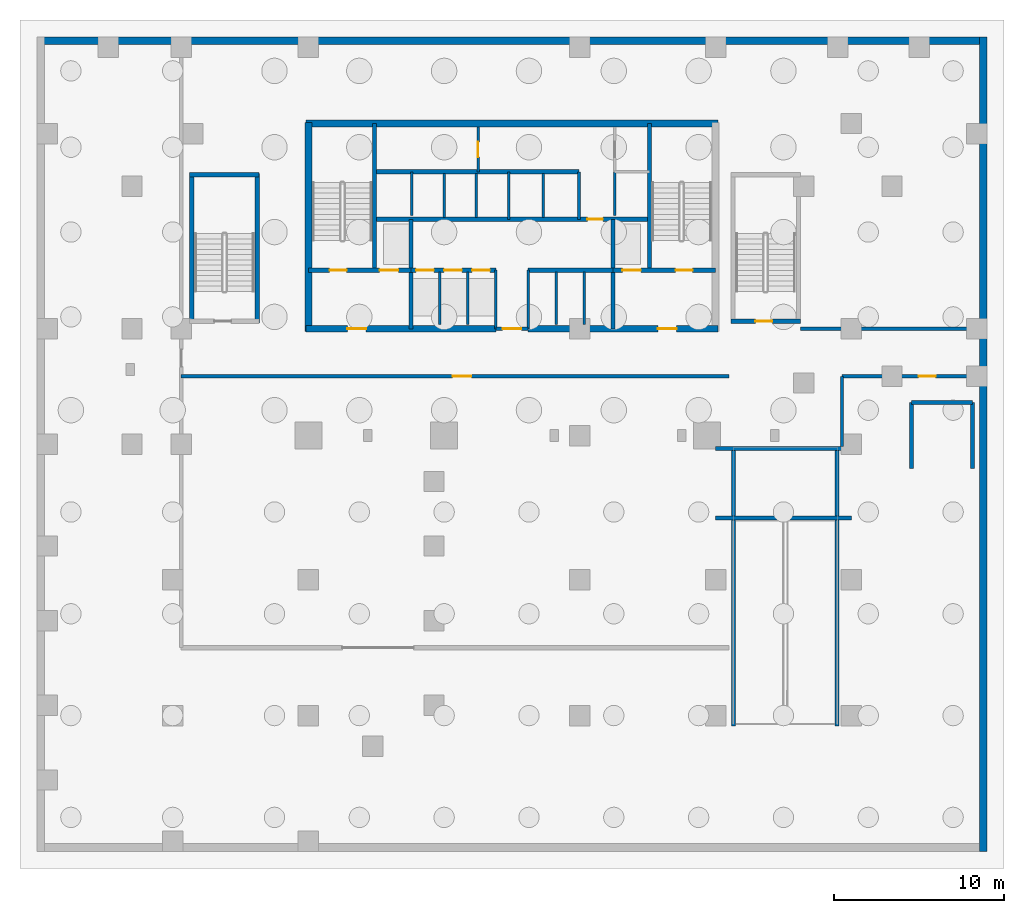
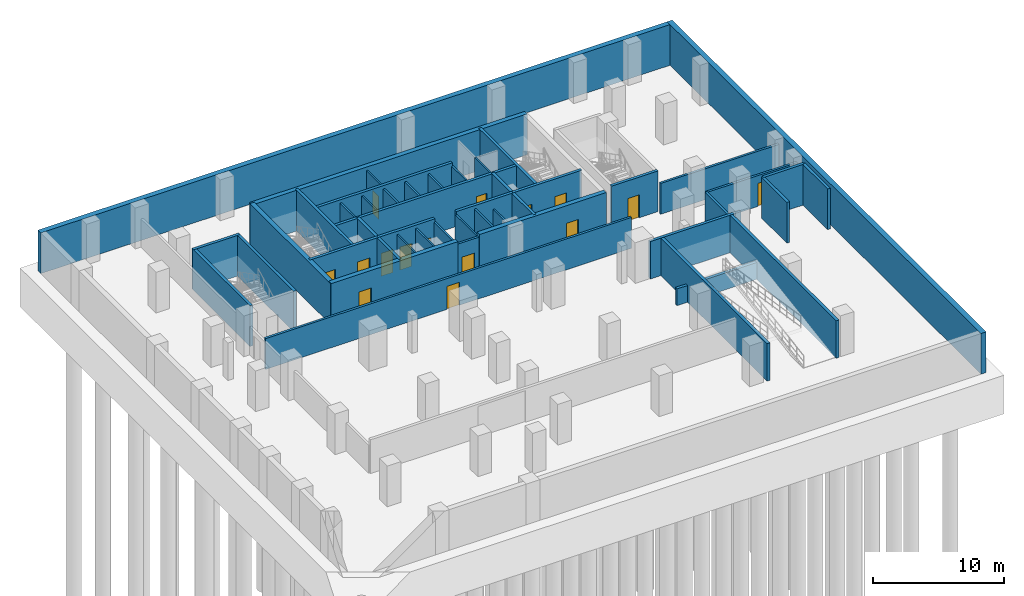
# One storey, part 2 of 6: 46 walls, 15 doors, 15 openings.
"""IFC4 building model written with IfcOpenShell, lengths in metres."""

from ifc_helpers import new_model, si_unit, direction, frame, frame_2d, origin, place, context, subcontext, project, spatial, rectangle, extrude, material, layer, layer_set, type_object, element, fill, save


model = new_model("IFC4")

# Units and contexts
model_context = context("Model", 3, precision=1e-05, world=origin(), true_north=direction((0.0, 1.0)))
body_context = subcontext(model_context, "Body", "Model", "MODEL_VIEW")
ifc_project = project(units=[si_unit("LENGTHUNIT", "METRE"), si_unit("AREAUNIT", "SQUARE_METRE"), si_unit("VOLUMEUNIT", "CUBIC_METRE"), si_unit("PLANEANGLEUNIT", "RADIAN"), si_unit("MASSUNIT", "GRAM", prefix="KILO")], contexts=[model_context])

# Site, building, storey
site_placement = place(None, origin())
site = spatial("IfcSite", under=ifc_project, at=site_placement, CompositionType="ELEMENT")
building_placement = place(site_placement, origin())
building = spatial("IfcBuilding", under=site, at=building_placement, Name="Catumbela Crestline Tower", CompositionType="ELEMENT")
storey_placement = place(building_placement, frame((0.0, 0.0, -13.2)))
storey = spatial("IfcBuildingStorey", under=building, at=storey_placement, Name="B03", CompositionType="ELEMENT", Elevation=-13.2)

# Walls
ifc_material_1 = material(Name="Concrete C50/60", Category="concrete")
ifc_layer_1 = layer(ifc_material_1, 0.25, Name="Concrete C50/60")
ifc_layer_set_1 = layer_set([ifc_layer_1], Name="Concrete C50/60")
wall_type_1 = type_object("IfcWallType", Name="CW-250D", PredefinedType="SHEAR", material=ifc_layer_set_1)
for number, where, z_axis, x_axis, name in (
    (1, (19.9, 34.25, 0.0), (0.0, 0.0, 1.0), (0.0, 1.0, 0.0), "B03 Structural Core Shear Wall WWEB"),
    (2, (36.1, 34.25, 0.0), (0.0, 0.0, 1.0), (0.0, 1.0, 0.0), "B03 Structural Core Shear Wall EWEB"),
):
    element("IfcWall", number, at=place(storey_placement, frame(where, z_axis=z_axis, x_axis=x_axis)), inside=storey, type_object=wall_type_1, Name=name, PredefinedType="SHEAR", context=body_context, shape_type="SweptSolid", body=[
        extrude(rectangle(XDim=8.65, YDim=0.25, at=frame_2d((4.325, 0.0))), origin(), (0.0, 0.0, 1.0), 3.8),
    ])
for number, where, z_axis, x_axis, name in (
    (3, (22.05, 30.8, 0.0), (0.0, 0.0, 1.0), (0.0, 1.0, 0.0), "B03 Structural Core Shear Wall FFW"),
    (4, (33.95, 30.8, 0.0), (0.0, 0.0, 1.0), (0.0, 1.0, 0.0), "B03 Structural Core Shear Wall FFE"),
):
    element("IfcWall", number, at=place(storey_placement, frame(where, z_axis=z_axis, x_axis=x_axis)), inside=storey, type_object=wall_type_1, Name=name, PredefinedType="SHEAR", context=body_context, shape_type="SweptSolid", body=[
        extrude(rectangle(XDim=6.45, YDim=0.25, at=frame_2d((3.225, 0.0))), origin(), (0.0, 0.0, 1.0), 3.8),
    ])

# Wall, openings, doors
wall_1_placement = place(storey_placement, frame((16.0, 34.25, 0.0), z_axis=(0.0, 0.0, 1.0), x_axis=(1.0, 0.0, 0.0)))
wall_1 = element("IfcWall", 5, at=wall_1_placement, inside=storey, type_object=wall_type_1, Name="B03 Structural Core Shear Wall ST1S", PredefinedType="SHEAR", context=body_context, shape_type="SweptSolid", body=[
    extrude(rectangle(XDim=6.05, YDim=0.25, at=frame_2d((3.025, 0.0))), origin(), (0.0, 0.0, 1.0), 3.8),
])
opening_1_placement = place(wall_1_placement, frame((1.25, 0.0, 0.0)))
opening_1 = element("IfcOpeningElement", 6, at=opening_1_placement, cuts=wall_1, Name="Opening DF9-100", PredefinedType="OPENING", context=body_context, shape_type="SweptSolid", body=[
    extrude(rectangle(XDim=1.0, YDim=2.15, at=frame_2d((0.5, 1.075))), frame((0.0, 0.135, 0.0), z_axis=(0.0, -1.0, 0.0), x_axis=(1.0, 0.0, 0.0)), (0.0, 0.0, 1.0), 0.27),
])
opening_2_placement = place(wall_1_placement, frame((4.2, 0.0, 0.0)))
opening_2 = element("IfcOpeningElement", 7, at=opening_2_placement, cuts=wall_1, Name="Opening LD-110", PredefinedType="OPENING", context=body_context, shape_type="SweptSolid", body=[
    extrude(rectangle(XDim=1.1, YDim=2.15, at=frame_2d((0.55, 1.075))), frame((0.0, 0.135, 0.0), z_axis=(0.0, -1.0, 0.0), x_axis=(1.0, 0.0, 0.0)), (0.0, 0.0, 1.0), 0.27),
])
ifc_material_2 = material(Name="Stainless steel EN 1.4401", Category="steel")
door_type_1 = type_object("IfcDoorType", Name="DF9-100", OperationType="NOTDEFINED", PredefinedType="DOOR", material=ifc_material_2)
door_1_placement = place(opening_1_placement, origin())
door_1 = element("IfcDoor", 8, at=door_1_placement, inside=storey, type_object=door_type_1, Name="B03 Interior Door DR-B03-ST01", OperationType="SINGLE_SWING_LEFT", OverallHeight=2.15, OverallWidth=1.0, PredefinedType="DOOR", context=body_context, shape_type="SweptSolid", body=[
    extrude(rectangle(XDim=1.0, YDim=2.15, at=frame_2d((0.5, 1.075))), frame((0.0, 0.025, 0.0), z_axis=(0.0, -1.0, 0.0), x_axis=(1.0, 0.0, 0.0)), (0.0, 0.0, 1.0), 0.05),
])
fill(opening_1, door_1)
door_type_2 = type_object("IfcDoorType", Name="LD-110", OperationType="NOTDEFINED", PredefinedType="DOOR", material=ifc_material_2)
door_2_placement = place(opening_2_placement, origin())
door_2 = element("IfcDoor", 9, at=door_2_placement, inside=storey, type_object=door_type_2, Name="B03 Lift Landing Sliding Door FL-01", OperationType="DOUBLE_DOOR_SLIDING", OverallHeight=2.15, OverallWidth=1.1, PredefinedType="DOOR", context=body_context, shape_type="SweptSolid", body=[
    extrude(rectangle(XDim=1.1, YDim=2.15, at=frame_2d((0.55, 1.075))), frame((0.0, 0.025, 0.0), z_axis=(0.0, -1.0, 0.0), x_axis=(1.0, 0.0, 0.0)), (0.0, 0.0, 1.0), 0.05),
])
fill(opening_2, door_2)

wall_2_placement = place(storey_placement, frame((33.95, 34.25, 0.0), z_axis=(0.0, 0.0, 1.0), x_axis=(1.0, 0.0, 0.0)))
wall_2 = element("IfcWall", 10, at=wall_2_placement, inside=storey, type_object=wall_type_1, Name="B03 Structural Core Shear Wall ST2S", PredefinedType="SHEAR", context=body_context, shape_type="SweptSolid", body=[
    extrude(rectangle(XDim=6.05, YDim=0.25, at=frame_2d((3.025, 0.0))), origin(), (0.0, 0.0, 1.0), 3.8),
])
opening_3_placement = place(wall_2_placement, frame((3.7, 0.0, 0.0)))
opening_3 = element("IfcOpeningElement", 11, at=opening_3_placement, cuts=wall_2, Name="Opening DF9-100", PredefinedType="OPENING", context=body_context, shape_type="SweptSolid", body=[
    extrude(rectangle(XDim=1.0, YDim=2.15, at=frame_2d((0.5, 1.075))), frame((0.0, 0.135, 0.0), z_axis=(0.0, -1.0, 0.0), x_axis=(1.0, 0.0, 0.0)), (0.0, 0.0, 1.0), 0.27),
])
opening_4_placement = place(wall_2_placement, frame((0.55, 0.0, 0.0)))
opening_4 = element("IfcOpeningElement", 12, at=opening_4_placement, cuts=wall_2, Name="Opening LD-110", PredefinedType="OPENING", context=body_context, shape_type="SweptSolid", body=[
    extrude(rectangle(XDim=1.1, YDim=2.15, at=frame_2d((0.55, 1.075))), frame((0.0, 0.135, 0.0), z_axis=(0.0, -1.0, 0.0), x_axis=(1.0, 0.0, 0.0)), (0.0, 0.0, 1.0), 0.27),
])
door_3_placement = place(opening_3_placement, origin())
door_3 = element("IfcDoor", 13, at=door_3_placement, inside=storey, type_object=door_type_1, Name="B03 Interior Door DR-B03-ST02", OperationType="SINGLE_SWING_RIGHT", OverallHeight=2.15, OverallWidth=1.0, PredefinedType="DOOR", context=body_context, shape_type="SweptSolid", body=[
    extrude(rectangle(XDim=1.0, YDim=2.15, at=frame_2d((0.5, 1.075))), frame((0.0, 0.025, 0.0), z_axis=(0.0, -1.0, 0.0), x_axis=(1.0, 0.0, 0.0)), (0.0, 0.0, 1.0), 0.05),
])
fill(opening_3, door_3)
door_4_placement = place(opening_4_placement, origin())
door_4 = element("IfcDoor", 14, at=door_4_placement, inside=storey, type_object=door_type_2, Name="B03 Lift Landing Sliding Door FL-02", OperationType="DOUBLE_DOOR_SLIDING", OverallHeight=2.15, OverallWidth=1.1, PredefinedType="DOOR", context=body_context, shape_type="SweptSolid", body=[
    extrude(rectangle(XDim=1.1, YDim=2.15, at=frame_2d((0.55, 1.075))), frame((0.0, 0.025, 0.0), z_axis=(0.0, -1.0, 0.0), x_axis=(1.0, 0.0, 0.0)), (0.0, 0.0, 1.0), 0.05),
])
fill(opening_4, door_4)

wall_3_placement = place(storey_placement, frame((22.05, 34.25, 0.0), z_axis=(0.0, 0.0, 1.0), x_axis=(1.0, 0.0, 0.0)))
wall_3 = element("IfcWall", 15, at=wall_3_placement, inside=storey, type_object=wall_type_1, Name="B03 Structural Core Shear Wall LIFTS-W", PredefinedType="SHEAR", context=body_context, shape_type="SweptSolid", body=[
    extrude(rectangle(XDim=5.0, YDim=0.25, at=frame_2d((2.5, 0.0))), origin(), (0.0, 0.0, 1.0), 3.8),
])
opening_5_placement = place(wall_3_placement, frame((0.3, 0.0, 0.0)))
opening_5 = element("IfcOpeningElement", 16, at=opening_5_placement, cuts=wall_3, Name="Opening LD-105", PredefinedType="OPENING", context=body_context, shape_type="SweptSolid", body=[
    extrude(rectangle(XDim=1.05, YDim=2.15, at=frame_2d((0.525, 1.075))), frame((0.0, 0.135, 0.0), z_axis=(0.0, -1.0, 0.0), x_axis=(1.0, 0.0, 0.0)), (0.0, 0.0, 1.0), 0.27),
])
opening_6_placement = place(wall_3_placement, frame((1.95, 0.0, 0.0)))
opening_6 = element("IfcOpeningElement", 17, at=opening_6_placement, cuts=wall_3, Name="Opening LD-105", PredefinedType="OPENING", context=body_context, shape_type="SweptSolid", body=[
    extrude(rectangle(XDim=1.05, YDim=2.15, at=frame_2d((0.525, 1.075))), frame((0.0, 0.135, 0.0), z_axis=(0.0, -1.0, 0.0), x_axis=(1.0, 0.0, 0.0)), (0.0, 0.0, 1.0), 0.27),
])
opening_7_placement = place(wall_3_placement, frame((3.6, 0.0, 0.0)))
opening_7 = element("IfcOpeningElement", 18, at=opening_7_placement, cuts=wall_3, Name="Opening LD-105", PredefinedType="OPENING", context=body_context, shape_type="SweptSolid", body=[
    extrude(rectangle(XDim=1.05, YDim=2.15, at=frame_2d((0.525, 1.075))), frame((0.0, 0.135, 0.0), z_axis=(0.0, -1.0, 0.0), x_axis=(1.0, 0.0, 0.0)), (0.0, 0.0, 1.0), 0.27),
])
door_type_3 = type_object("IfcDoorType", Name="LD-105", OperationType="NOTDEFINED", PredefinedType="DOOR", material=ifc_material_2)
door_5_placement = place(opening_5_placement, origin())
door_5 = element("IfcDoor", 19, at=door_5_placement, inside=storey, type_object=door_type_3, Name="B03 Lift Landing Sliding Door PL-L1", OperationType="DOUBLE_DOOR_SLIDING", OverallHeight=2.15, OverallWidth=1.05, PredefinedType="DOOR", context=body_context, shape_type="SweptSolid", body=[
    extrude(rectangle(XDim=1.05, YDim=2.15, at=frame_2d((0.525, 1.075))), frame((0.0, 0.025, 0.0), z_axis=(0.0, -1.0, 0.0), x_axis=(1.0, 0.0, 0.0)), (0.0, 0.0, 1.0), 0.05),
])
fill(opening_5, door_5)
door_6_placement = place(opening_6_placement, origin())
door_6 = element("IfcDoor", 20, at=door_6_placement, inside=storey, type_object=door_type_3, Name="B03 Lift Landing Sliding Door PL-L2", OperationType="DOUBLE_DOOR_SLIDING", OverallHeight=2.15, OverallWidth=1.05, PredefinedType="DOOR", context=body_context, shape_type="SweptSolid", body=[
    extrude(rectangle(XDim=1.05, YDim=2.15, at=frame_2d((0.525, 1.075))), frame((0.0, 0.025, 0.0), z_axis=(0.0, -1.0, 0.0), x_axis=(1.0, 0.0, 0.0)), (0.0, 0.0, 1.0), 0.05),
])
fill(opening_6, door_6)
door_7_placement = place(opening_7_placement, origin())
door_7 = element("IfcDoor", 21, at=door_7_placement, inside=storey, type_object=door_type_3, Name="B03 Lift Landing Sliding Door PL-L3", OperationType="DOUBLE_DOOR_SLIDING", OverallHeight=2.15, OverallWidth=1.05, PredefinedType="DOOR", context=body_context, shape_type="SweptSolid", body=[
    extrude(rectangle(XDim=1.05, YDim=2.15, at=frame_2d((0.525, 1.075))), frame((0.0, 0.025, 0.0), z_axis=(0.0, -1.0, 0.0), x_axis=(1.0, 0.0, 0.0)), (0.0, 0.0, 1.0), 0.05),
])
fill(opening_7, door_7)

# Wall
wall_4_placement = place(storey_placement, frame((28.95, 34.25, 0.0), z_axis=(0.0, 0.0, 1.0), x_axis=(1.0, 0.0, 0.0)))
element("IfcWall", 22, at=wall_4_placement, inside=storey, type_object=wall_type_1, Name="B03 Structural Core Shear Wall LIFTS-E", PredefinedType="SHEAR", context=body_context, shape_type="SweptSolid", body=[
    extrude(rectangle(XDim=5.0, YDim=0.25, at=frame_2d((2.5, 0.0))), origin(), (0.0, 0.0, 1.0), 3.8),
])

# Wall, opening, door
wall_5_placement = place(storey_placement, frame((19.9, 37.25, 0.0), z_axis=(0.0, 0.0, 1.0), x_axis=(1.0, 0.0, 0.0)))
wall_5 = element("IfcWall", 23, at=wall_5_placement, inside=storey, type_object=wall_type_1, Name="B03 Structural Core Shear Wall LIFTN", PredefinedType="SHEAR", context=body_context, shape_type="SweptSolid", body=[
    extrude(rectangle(XDim=16.2, YDim=0.25, at=frame_2d((8.1, 0.0))), origin(), (0.0, 0.0, 1.0), 3.8),
])
opening_8_placement = place(wall_5_placement, frame((12.55, 0.0, 0.0)))
opening_8 = element("IfcOpeningElement", 24, at=opening_8_placement, cuts=wall_5, Name="Opening DF9-090", PredefinedType="OPENING", context=body_context, shape_type="SweptSolid", body=[
    extrude(rectangle(XDim=0.9, YDim=2.15, at=frame_2d((0.45, 1.075))), frame((0.0, 0.135, 0.0), z_axis=(0.0, -1.0, 0.0), x_axis=(1.0, 0.0, 0.0)), (0.0, 0.0, 1.0), 0.27),
])
door_type_4 = type_object("IfcDoorType", Name="DF9-090", OperationType="NOTDEFINED", PredefinedType="DOOR", material=ifc_material_2)
door_8_placement = place(opening_8_placement, origin())
door_8 = element("IfcDoor", 25, at=door_8_placement, inside=storey, type_object=door_type_4, Name="B03 Interior Door DR-B03-CPAS1", OperationType="SINGLE_SWING_LEFT", OverallHeight=2.15, OverallWidth=0.9, PredefinedType="DOOR", context=body_context, shape_type="SweptSolid", body=[
    extrude(rectangle(XDim=0.9, YDim=2.15, at=frame_2d((0.45, 1.075))), frame((0.0, 0.025, 0.0), z_axis=(0.0, -1.0, 0.0), x_axis=(1.0, 0.0, 0.0)), (0.0, 0.0, 1.0), 0.05),
])
fill(opening_8, door_8)

# Walls
wall_6_placement = place(storey_placement, frame((19.9, 40.05, 0.0), z_axis=(0.0, 0.0, 1.0), x_axis=(1.0, 0.0, 0.0)))
element("IfcWall", 26, at=wall_6_placement, inside=storey, type_object=wall_type_1, Name="B03 Structural Core Shear Wall COREN", PredefinedType="SHEAR", context=body_context, shape_type="SweptSolid", body=[
    extrude(rectangle(XDim=12.05, YDim=0.25, at=frame_2d((6.025, 0.0))), origin(), (0.0, 0.0, 1.0), 3.8),
])
for number, where, z_axis, x_axis, name in (
    (27, (9.12, 31.15, 0.0), (0.0, 0.0, 1.0), (0.0, 1.0, 0.0), "B03 Structural Core Shear Wall ST3W"),
    (28, (12.98, 31.15, 0.0), (0.0, 0.0, 1.0), (0.0, 1.0, 0.0), "B03 Structural Core Shear Wall ST3E"),
):
    element("IfcWall", number, at=place(storey_placement, frame(where, z_axis=z_axis, x_axis=x_axis)), inside=storey, type_object=wall_type_1, Name=name, PredefinedType="SHEAR", context=body_context, shape_type="SweptSolid", body=[
        extrude(rectangle(XDim=8.8, YDim=0.25, at=frame_2d((4.4, 0.0))), origin(), (0.0, 0.0, 1.0), 3.8),
    ])
wall_7_placement = place(storey_placement, frame((9.0, 39.88, 0.0), z_axis=(0.0, 0.0, 1.0), x_axis=(1.0, 0.0, 0.0)))
element("IfcWall", 29, at=wall_7_placement, inside=storey, type_object=wall_type_1, Name="B03 Structural Core Shear Wall ST3N", PredefinedType="SHEAR", context=body_context, shape_type="SweptSolid", body=[
    extrude(rectangle(XDim=4.1, YDim=0.25, at=frame_2d((2.05, 0.0))), origin(), (0.0, 0.0, 1.0), 3.8),
])

# Wall, opening, door
wall_8_placement = place(storey_placement, frame((40.9, 31.25, 0.0), z_axis=(0.0, 0.0, 1.0), x_axis=(1.0, 0.0, 0.0)))
wall_8 = element("IfcWall", 30, at=wall_8_placement, inside=storey, type_object=wall_type_1, Name="B03 Structural Core Shear Wall ST4S", PredefinedType="SHEAR", context=body_context, shape_type="SweptSolid", body=[
    extrude(rectangle(XDim=4.1, YDim=0.25, at=frame_2d((2.05, 0.0))), origin(), (0.0, 0.0, 1.0), 3.8),
])
opening_9_placement = place(wall_8_placement, frame((1.45, 0.0, 0.0)))
opening_9 = element("IfcOpeningElement", 31, at=opening_9_placement, cuts=wall_8, Name="Opening DF9-100", PredefinedType="OPENING", context=body_context, shape_type="SweptSolid", body=[
    extrude(rectangle(XDim=1.0, YDim=2.15, at=frame_2d((0.5, 1.075))), frame((0.0, 0.135, 0.0), z_axis=(0.0, -1.0, 0.0), x_axis=(1.0, 0.0, 0.0)), (0.0, 0.0, 1.0), 0.27),
])
door_9_placement = place(opening_9_placement, origin())
door_9 = element("IfcDoor", 32, at=door_9_placement, inside=storey, type_object=door_type_1, Name="B03 Interior Door DR-B03-ST04", OperationType="SINGLE_SWING_RIGHT", OverallHeight=2.15, OverallWidth=1.0, PredefinedType="DOOR", context=body_context, shape_type="SweptSolid", body=[
    extrude(rectangle(XDim=1.0, YDim=2.15, at=frame_2d((0.5, 1.075))), frame((0.0, 0.025, 0.0), z_axis=(0.0, -1.0, 0.0), x_axis=(1.0, 0.0, 0.0)), (0.0, 0.0, 1.0), 0.05),
])
fill(opening_9, door_9)

# Walls
ifc_material_3 = material(Name="Concrete C60/75", Category="concrete")
ifc_layer_2 = layer(ifc_material_3, 0.4, Name="Concrete C60/75")
ifc_layer_set_2 = layer_set([ifc_layer_2], Name="Concrete C60/75")
wall_type_2 = type_object("IfcWallType", Name="CW-400A", PredefinedType="SHEAR", material=ifc_layer_set_2)
wall_9_placement = place(storey_placement, frame((16.0, 30.65, 0.0), z_axis=(0.0, 0.0, 1.0), x_axis=(0.0, 1.0, 0.0)))
element("IfcWall", 33, at=wall_9_placement, inside=storey, type_object=wall_type_2, Name="B03 Structural Core Shear Wall W", PredefinedType="SHEAR", context=body_context, shape_type="SweptSolid", body=[
    extrude(rectangle(XDim=12.3, YDim=0.4, at=frame_2d((6.15, 0.0))), origin(), (0.0, 0.0, 1.0), 3.8),
])
wall_10_placement = place(storey_placement, frame((15.85, 42.9, 0.0), z_axis=(0.0, 0.0, 1.0), x_axis=(1.0, 0.0, 0.0)))
element("IfcWall", 34, at=wall_10_placement, inside=storey, type_object=wall_type_2, Name="B03 Structural Core Shear Wall N", PredefinedType="SHEAR", context=body_context, shape_type="SweptSolid", body=[
    extrude(rectangle(XDim=24.3, YDim=0.4, at=frame_2d((12.15, 0.0))), origin(), (0.0, 0.0, 1.0), 3.8),
])

# Wall, opening, door
wall_11_placement = place(storey_placement, frame((15.85, 30.8, 0.0), z_axis=(0.0, 0.0, 1.0), x_axis=(1.0, 0.0, 0.0)))
wall_11 = element("IfcWall", 35, at=wall_11_placement, inside=storey, type_object=wall_type_2, Name="B03 Structural Core Shear Wall SW", PredefinedType="SHEAR", context=body_context, shape_type="SweptSolid", body=[
    extrude(rectangle(XDim=11.2, YDim=0.4, at=frame_2d((5.6, 0.0))), origin(), (0.0, 0.0, 1.0), 3.8),
])
opening_10_placement = place(wall_11_placement, frame((2.45, 0.0, 0.0)))
opening_10 = element("IfcOpeningElement", 36, at=opening_10_placement, cuts=wall_11, Name="Opening DF9-110", PredefinedType="OPENING", context=body_context, shape_type="SweptSolid", body=[
    extrude(rectangle(XDim=1.1, YDim=2.15, at=frame_2d((0.55, 1.075))), frame((0.0, 0.21, 0.0), z_axis=(0.0, -1.0, 0.0), x_axis=(1.0, 0.0, 0.0)), (0.0, 0.0, 1.0), 0.42),
])
door_type_5 = type_object("IfcDoorType", Name="DF9-110", OperationType="NOTDEFINED", PredefinedType="DOOR", material=ifc_material_2)
door_10_placement = place(opening_10_placement, origin())
door_10 = element("IfcDoor", 37, at=door_10_placement, inside=storey, type_object=door_type_5, Name="B03 Interior Door DR-B03-FFW-S", OperationType="SINGLE_SWING_LEFT", OverallHeight=2.15, OverallWidth=1.1, PredefinedType="DOOR", context=body_context, shape_type="SweptSolid", body=[
    extrude(rectangle(XDim=1.1, YDim=2.15, at=frame_2d((0.55, 1.075))), frame((0.0, 0.025, 0.0), z_axis=(0.0, -1.0, 0.0), x_axis=(1.0, 0.0, 0.0)), (0.0, 0.0, 1.0), 0.05),
])
fill(opening_10, door_10)

wall_12_placement = place(storey_placement, frame((28.95, 30.8, 0.0), z_axis=(0.0, 0.0, 1.0), x_axis=(1.0, 0.0, 0.0)))
wall_12 = element("IfcWall", 38, at=wall_12_placement, inside=storey, type_object=wall_type_2, Name="B03 Structural Core Shear Wall SE", PredefinedType="SHEAR", context=body_context, shape_type="SweptSolid", body=[
    extrude(rectangle(XDim=11.2, YDim=0.4, at=frame_2d((5.6, 0.0))), origin(), (0.0, 0.0, 1.0), 3.8),
])
opening_11_placement = place(wall_12_placement, frame((7.65, 0.0, 0.0)))
opening_11 = element("IfcOpeningElement", 39, at=opening_11_placement, cuts=wall_12, Name="Opening DF9-110", PredefinedType="OPENING", context=body_context, shape_type="SweptSolid", body=[
    extrude(rectangle(XDim=1.1, YDim=2.15, at=frame_2d((0.55, 1.075))), frame((0.0, 0.21, 0.0), z_axis=(0.0, -1.0, 0.0), x_axis=(1.0, 0.0, 0.0)), (0.0, 0.0, 1.0), 0.42),
])
door_11_placement = place(opening_11_placement, origin())
door_11 = element("IfcDoor", 40, at=door_11_placement, inside=storey, type_object=door_type_5, Name="B03 Interior Door DR-B03-FFE-S", OperationType="SINGLE_SWING_RIGHT", OverallHeight=2.15, OverallWidth=1.1, PredefinedType="DOOR", context=body_context, shape_type="SweptSolid", body=[
    extrude(rectangle(XDim=1.1, YDim=2.15, at=frame_2d((0.55, 1.075))), frame((0.0, 0.025, 0.0), z_axis=(0.0, -1.0, 0.0), x_axis=(1.0, 0.0, 0.0)), (0.0, 0.0, 1.0), 0.05),
])
fill(opening_11, door_11)

ifc_material_4 = material(Name="Acoustic gypsum and mineral-wool partition")
ifc_layer_3 = layer(ifc_material_4, 0.2, Name="Acoustic gypsum and mineral-wool partition")
ifc_layer_set_3 = layer_set([ifc_layer_3], Name="Acoustic gypsum and mineral-wool partition")
wall_type_3 = type_object("IfcWallType", Name="WC-200", PredefinedType="PARTITIONING", material=ifc_layer_set_3)
wall_13_placement = place(storey_placement, frame((27.05, 30.8, 0.0), z_axis=(0.0, 0.0, 1.0), x_axis=(1.0, 0.0, 0.0)))
wall_13 = element("IfcWall", 41, at=wall_13_placement, inside=storey, type_object=wall_type_3, Name="B03 Interior Partition PW-B03-CLOBS", PredefinedType="PARTITIONING", context=body_context, shape_type="SweptSolid", body=[
    extrude(rectangle(XDim=1.9, YDim=0.2, at=frame_2d((0.95, 0.0))), origin(), (0.0, 0.0, 1.0), 3.49),
])
opening_12_placement = place(wall_13_placement, frame((0.4, 0.0, 0.0)))
opening_12 = element("IfcOpeningElement", 42, at=opening_12_placement, cuts=wall_13, Name="Opening DF9-110", PredefinedType="OPENING", context=body_context, shape_type="SweptSolid", body=[
    extrude(rectangle(XDim=1.1, YDim=2.15, at=frame_2d((0.55, 1.075))), frame((0.0, 0.11, 0.0), z_axis=(0.0, -1.0, 0.0), x_axis=(1.0, 0.0, 0.0)), (0.0, 0.0, 1.0), 0.22),
])
door_12_placement = place(opening_12_placement, origin())
door_12 = element("IfcDoor", 43, at=door_12_placement, inside=storey, type_object=door_type_5, Name="B03 Interior Door DR-B03-CLOBS", OperationType="SINGLE_SWING_LEFT", OverallHeight=2.15, OverallWidth=1.1, PredefinedType="DOOR", context=body_context, shape_type="SweptSolid", body=[
    extrude(rectangle(XDim=1.1, YDim=2.15, at=frame_2d((0.55, 1.075))), frame((0.0, 0.025, 0.0), z_axis=(0.0, -1.0, 0.0), x_axis=(1.0, 0.0, 0.0)), (0.0, 0.0, 1.0), 0.05),
])
fill(opening_12, door_12)

# Wall
wall_14_placement = place(storey_placement, frame((45.0, 30.8, 0.0), z_axis=(0.0, 0.0, 1.0), x_axis=(1.0, 0.0, 0.0)))
element("IfcWall", 44, at=wall_14_placement, inside=storey, type_object=wall_type_3, Name="B03 Interior Partition PW-B03-CORN-E", PredefinedType="PARTITIONING", context=body_context, shape_type="SweptSolid", body=[
    extrude(rectangle(XDim=10.45, YDim=0.2, at=frame_2d((5.225, 0.0))), origin(), (0.0, 0.0, 1.0), 2.88),
])

# Wall, opening, door
wall_15_placement = place(storey_placement, frame((8.5, 28.0, 0.0), z_axis=(0.0, 0.0, 1.0), x_axis=(1.0, 0.0, 0.0)))
wall_15 = element("IfcWall", 45, at=wall_15_placement, inside=storey, type_object=wall_type_3, Name="B03 Interior Partition PW-B03-PKN", PredefinedType="PARTITIONING", context=body_context, shape_type="SweptSolid", body=[
    extrude(rectangle(XDim=32.3, YDim=0.2, at=frame_2d((16.15, 0.0))), origin(), (0.0, 0.0, 1.0), 2.88),
])
opening_13_placement = place(wall_15_placement, frame((16.0, 0.0, 0.0)))
opening_13 = element("IfcOpeningElement", 46, at=opening_13_placement, cuts=wall_15, Name="Opening DF9-110", PredefinedType="OPENING", context=body_context, shape_type="SweptSolid", body=[
    extrude(rectangle(XDim=1.1, YDim=2.15, at=frame_2d((0.55, 1.075))), frame((0.0, 0.11, 0.0), z_axis=(0.0, -1.0, 0.0), x_axis=(1.0, 0.0, 0.0)), (0.0, 0.0, 1.0), 0.22),
])
door_13_placement = place(opening_13_placement, origin())
door_13 = element("IfcDoor", 47, at=door_13_placement, inside=storey, type_object=door_type_5, Name="B03 Interior Door DR-B03-PKN", OperationType="SINGLE_SWING_LEFT", OverallHeight=2.15, OverallWidth=1.1, PredefinedType="DOOR", context=body_context, shape_type="SweptSolid", body=[
    extrude(rectangle(XDim=1.1, YDim=2.15, at=frame_2d((0.55, 1.075))), frame((0.0, 0.025, 0.0), z_axis=(0.0, -1.0, 0.0), x_axis=(1.0, 0.0, 0.0)), (0.0, 0.0, 1.0), 0.05),
])
fill(opening_13, door_13)

# Wall
wall_16_placement = place(storey_placement, frame((47.45, 23.85, 0.0), z_axis=(0.0, 0.0, 1.0), x_axis=(0.0, 1.0, 0.0)))
element("IfcWall", 48, at=wall_16_placement, inside=storey, type_object=wall_type_3, Name="B03 Interior Partition PW-B03-PKRMP-W", PredefinedType="PARTITIONING", context=body_context, shape_type="SweptSolid", body=[
    extrude(rectangle(XDim=4.15, YDim=0.2, at=frame_2d((2.075, 0.0))), origin(), (0.0, 0.0, 1.0), 2.88),
])

# Wall, opening, door
wall_17_placement = place(storey_placement, frame((47.45, 28.0, 0.0), z_axis=(0.0, 0.0, 1.0), x_axis=(1.0, 0.0, 0.0)))
wall_17 = element("IfcWall", 49, at=wall_17_placement, inside=storey, type_object=wall_type_3, Name="B03 Interior Partition PW-B03-PKRMP-N", PredefinedType="PARTITIONING", context=body_context, shape_type="SweptSolid", body=[
    extrude(rectangle(XDim=8.0, YDim=0.2, at=frame_2d((4.0, 0.0))), origin(), (0.0, 0.0, 1.0), 2.88),
])
opening_14_placement = place(wall_17_placement, frame((4.525, 0.0, 0.0)))
opening_14 = element("IfcOpeningElement", 50, at=opening_14_placement, cuts=wall_17, Name="Opening DF9-100", PredefinedType="OPENING", context=body_context, shape_type="SweptSolid", body=[
    extrude(rectangle(XDim=1.0, YDim=2.15, at=frame_2d((0.5, 1.075))), frame((0.0, 0.11, 0.0), z_axis=(0.0, -1.0, 0.0), x_axis=(1.0, 0.0, 0.0)), (0.0, 0.0, 1.0), 0.22),
])
door_14_placement = place(opening_14_placement, origin())
door_14 = element("IfcDoor", 51, at=door_14_placement, inside=storey, type_object=door_type_1, Name="B03 Interior Door DR-B03-PKRMP", OperationType="SINGLE_SWING_LEFT", OverallHeight=2.15, OverallWidth=1.0, PredefinedType="DOOR", context=body_context, shape_type="SweptSolid", body=[
    extrude(rectangle(XDim=1.0, YDim=2.15, at=frame_2d((0.5, 1.075))), frame((0.0, 0.025, 0.0), z_axis=(0.0, -1.0, 0.0), x_axis=(1.0, 0.0, 0.0)), (0.0, 0.0, 1.0), 0.05),
])
fill(opening_14, door_14)

ifc_layer_4 = layer(ifc_material_4, 0.15, Name="Acoustic gypsum and mineral-wool partition")
ifc_layer_set_4 = layer_set([ifc_layer_4], Name="Acoustic gypsum and mineral-wool partition")
wall_type_4 = type_object("IfcWallType", Name="WP-150", PredefinedType="PARTITIONING", material=ifc_layer_set_4)
wall_18_placement = place(storey_placement, frame((26.0, 40.05, 0.0), z_axis=(0.0, 0.0, 1.0), x_axis=(0.0, 1.0, 0.0)))
wall_18 = element("IfcWall", 52, at=wall_18_placement, inside=storey, type_object=wall_type_4, Name="B03 Interior Partition PW-B03-CR-WW", PredefinedType="PARTITIONING", context=body_context, shape_type="SweptSolid", body=[
    extrude(rectangle(XDim=2.63, YDim=0.15, at=frame_2d((1.315, 0.0))), origin(), (0.0, 0.0, 1.0), 3.49),
])
opening_15_placement = place(wall_18_placement, frame((0.865, 0.0, 0.0)))
opening_15 = element("IfcOpeningElement", 53, at=opening_15_placement, cuts=wall_18, Name="Opening DF9-090", PredefinedType="OPENING", context=body_context, shape_type="SweptSolid", body=[
    extrude(rectangle(XDim=0.9, YDim=2.15, at=frame_2d((0.45, 1.075))), frame((0.0, 0.085, 0.0), z_axis=(0.0, -1.0, 0.0), x_axis=(1.0, 0.0, 0.0)), (0.0, 0.0, 1.0), 0.17),
])
door_15_placement = place(opening_15_placement, origin())
door_15 = element("IfcDoor", 54, at=door_15_placement, inside=storey, type_object=door_type_4, Name="B03 Interior Door DR-B03-CRWEST", OperationType="SINGLE_SWING_LEFT", OverallHeight=2.15, OverallWidth=0.9, PredefinedType="DOOR", context=body_context, shape_type="SweptSolid", body=[
    extrude(rectangle(XDim=0.9, YDim=2.15, at=frame_2d((0.45, 1.075))), frame((0.0, 0.025, 0.0), z_axis=(0.0, -1.0, 0.0), x_axis=(1.0, 0.0, 0.0)), (0.0, 0.0, 1.0), 0.05),
])
fill(opening_15, door_15)

# Walls
ifc_layer_5 = layer(ifc_material_1, 0.45, Name="Concrete C50/60")
ifc_layer_set_5 = layer_set([ifc_layer_5], Name="Concrete C50/60")
wall_type_5 = type_object("IfcWallType", Name="RW-450", PredefinedType="USERDEFINED", material=ifc_layer_set_5)
wall_19_placement = place(storey_placement, frame((0.0, 47.775, 0.0), z_axis=(0.0, 0.0, 1.0), x_axis=(1.0, 0.0, 0.0)))
element("IfcWall", 55, at=wall_19_placement, inside=storey, type_object=wall_type_5, Name="B03 Perimeter Diaphragm Retaining Wall N", ObjectType="RETAINING", PredefinedType="USERDEFINED", context=body_context, shape_type="SweptSolid", body=[
    extrude(rectangle(XDim=56.0, YDim=0.45, at=frame_2d((28.0, 0.0))), origin(), (0.0, 0.0, 1.0), 3.8),
])
wall_20_placement = place(storey_placement, frame((55.775, 0.0, 0.0), z_axis=(0.0, 0.0, 1.0), x_axis=(0.0, 1.0, 0.0)))
element("IfcWall", 56, at=wall_20_placement, inside=storey, type_object=wall_type_5, Name="B03 Perimeter Diaphragm Retaining Wall E", ObjectType="RETAINING", PredefinedType="USERDEFINED", context=body_context, shape_type="SweptSolid", body=[
    extrude(rectangle(XDim=48.0, YDim=0.45, at=frame_2d((24.0, 0.0))), origin(), (0.0, 0.0, 1.0), 3.8),
])
ifc_layer_6 = layer(ifc_material_4, 0.15, Name="Acoustic gypsum and mineral-wool partition")
ifc_layer_set_6 = layer_set([ifc_layer_6], Name="Acoustic gypsum and mineral-wool partition")
wall_type_6 = type_object("IfcWallType", Name="WS-150", PredefinedType="PLUMBINGWALL", material=ifc_layer_set_6)
for number, where, z_axis, x_axis, name in (
    (57, (27.05, 30.8, 0.0), (0.0, 0.0, 1.0), (0.0, 1.0, 0.0), "B03 Interior Partition PW-B03-THRW"),
    (58, (28.95, 30.8, 0.0), (0.0, 0.0, 1.0), (0.0, 1.0, 0.0), "B03 Interior Partition PW-B03-THRE"),
):
    element("IfcWall", number, at=place(storey_placement, frame(where, z_axis=z_axis, x_axis=x_axis)), inside=storey, type_object=wall_type_6, Name=name, PredefinedType="PLUMBINGWALL", context=body_context, shape_type="SweptSolid", body=[
        extrude(rectangle(XDim=3.45, YDim=0.15, at=frame_2d((1.725, 0.0))), origin(), (0.0, 0.0, 1.0), 3.49),
    ])
for number, where, z_axis, x_axis, name in (
    (59, (23.75, 31.05, 0.0), (0.0, 0.0, 1.0), (0.0, 1.0, 0.0), "B03 Interior Partition PW-B03-SHL1"),
    (60, (25.4, 31.05, 0.0), (0.0, 0.0, 1.0), (0.0, 1.0, 0.0), "B03 Interior Partition PW-B03-SHL2"),
    (61, (30.6, 31.05, 0.0), (0.0, 0.0, 1.0), (0.0, 1.0, 0.0), "B03 Interior Partition PW-B03-SHM1"),
):
    element("IfcWall", number, at=place(storey_placement, frame(where, z_axis=z_axis, x_axis=x_axis)), inside=storey, type_object=wall_type_6, Name=name, PredefinedType="PLUMBINGWALL", context=body_context, shape_type="SweptSolid", body=[
        extrude(rectangle(XDim=3.1, YDim=0.15, at=frame_2d((1.55, 0.0))), origin(), (0.0, 0.0, 1.0), 3.49),
    ])
wall_21_placement = place(storey_placement, frame((32.25, 31.05, 0.0), z_axis=(0.0, 0.0, 1.0), x_axis=(0.0, 1.0, 0.0)))
element("IfcWall", 62, at=wall_21_placement, inside=storey, type_object=wall_type_6, Name="B03 Interior Partition PW-B03-SHM2", PredefinedType="PLUMBINGWALL", context=body_context, shape_type="SweptSolid", body=[
    extrude(rectangle(XDim=3.1, YDim=0.15, at=frame_2d((1.55, 0.0))), origin(), (0.0, 0.0, 1.0), 2.88),
])
wall_22_placement = place(storey_placement, frame((22.1, 37.4897, 0.0), z_axis=(0.0, 0.0, 1.0), x_axis=(0.0, 1.0, 0.0)))
element("IfcWall", 63, at=wall_22_placement, inside=storey, type_object=wall_type_6, Name="B03 Interior Partition PW-B03-SHH0", PredefinedType="PLUMBINGWALL", context=body_context, shape_type="SweptSolid", body=[
    extrude(rectangle(XDim=2.5603, YDim=0.15, at=frame_2d((1.2801, 0.0))), origin(), (0.0, 0.0, 1.0), 3.49),
])
wall_23_placement = place(storey_placement, frame((27.8, 37.25, 0.0), z_axis=(0.0, 0.0, 1.0), x_axis=(0.0, 1.0, 0.0)))
element("IfcWall", 64, at=wall_23_placement, inside=storey, type_object=wall_type_6, Name="B03 Interior Partition PW-B03-SHH3", PredefinedType="PLUMBINGWALL", context=body_context, shape_type="SweptSolid", body=[
    extrude(rectangle(XDim=2.8, YDim=0.15, at=frame_2d((1.4, 0.0))), origin(), (0.0, 0.0, 1.0), 3.49),
])
for number, where, z_axis, x_axis, name in (
    (65, (24.0, 37.35, 0.0), (0.0, 0.0, 1.0), (0.0, 1.0, 0.0), "B03 Interior Partition PW-B03-SHH1"),
    (66, (25.9, 37.35, 0.0), (0.0, 0.0, 1.0), (0.0, 1.0, 0.0), "B03 Interior Partition PW-B03-SHH2"),
):
    element("IfcWall", number, at=place(storey_placement, frame(where, z_axis=z_axis, x_axis=x_axis)), inside=storey, type_object=wall_type_6, Name=name, PredefinedType="PLUMBINGWALL", context=body_context, shape_type="SweptSolid", body=[
        extrude(rectangle(XDim=2.6, YDim=0.15, at=frame_2d((1.3, 0.0))), origin(), (0.0, 0.0, 1.0), 3.49),
    ])
wall_24_placement = place(storey_placement, frame((31.95, 37.25, 0.0), z_axis=(0.0, 0.0, 1.0), x_axis=(0.0, 1.0, 0.0)))
element("IfcWall", 67, at=wall_24_placement, inside=storey, type_object=wall_type_6, Name="B03 Interior Partition PW-B03-SHEX2E", PredefinedType="PLUMBINGWALL", context=body_context, shape_type="SweptSolid", body=[
    extrude(rectangle(XDim=2.8, YDim=0.15, at=frame_2d((1.4, 0.0))), origin(), (0.0, 0.0, 1.0), 3.49),
])
wall_25_placement = place(storey_placement, frame((29.85, 37.35, 0.0), z_axis=(0.0, 0.0, 1.0), x_axis=(0.0, 1.0, 0.0)))
element("IfcWall", 68, at=wall_25_placement, inside=storey, type_object=wall_type_6, Name="B03 Interior Partition PW-B03-SHEX1", PredefinedType="PLUMBINGWALL", context=body_context, shape_type="SweptSolid", body=[
    extrude(rectangle(XDim=2.6, YDim=0.15, at=frame_2d((1.3, 0.0))), origin(), (0.0, 0.0, 1.0), 3.49),
])
wall_26_placement = place(storey_placement, frame((34.05, 37.4734, 0.0), z_axis=(0.0, 0.0, 1.0), x_axis=(0.0, 1.0, 0.0)))
element("IfcWall", 69, at=wall_26_placement, inside=storey, type_object=wall_type_6, Name="B03 Interior Partition PW-B03-RISW", PredefinedType="PLUMBINGWALL", context=body_context, shape_type="SweptSolid", body=[
    extrude(rectangle(XDim=2.5766, YDim=0.15, at=frame_2d((1.2883, 0.0))), origin(), (0.0, 0.0, 1.0), 3.49),
])
ifc_material_5 = material(Name="Concrete C45/55", Category="concrete")
ifc_layer_7 = layer(ifc_material_5, 0.25, Name="Concrete C45/55")
ifc_layer_set_7 = layer_set([ifc_layer_7], Name="Concrete C45/55")
wall_type_7 = type_object("IfcWallType", Name="WS-200", PredefinedType="STANDARD", material=ifc_layer_set_7)
wall_27_placement = place(storey_placement, frame((40.0, 23.75, 0.0), z_axis=(0.0, 0.0, 1.0), x_axis=(1.0, 0.0, 0.0)))
element("IfcWall", 70, at=wall_27_placement, inside=storey, type_object=wall_type_7, Name="B03 Vehicle Ramp North Shaft Support Wall", PredefinedType="STANDARD", context=body_context, shape_type="SweptSolid", body=[
    extrude(rectangle(XDim=8.0, YDim=0.25, at=frame_2d((4.0, 0.0))), origin(), (0.0, 0.0, 1.0), 3.5),
])
wall_28_placement = place(storey_placement, frame((40.0, 19.65, 0.0), z_axis=(0.0, 0.0, 1.0), x_axis=(1.0, 0.0, 0.0)))
element("IfcWall", 71, at=wall_28_placement, inside=storey, type_object=wall_type_7, Name="B03 Vehicle Ramp Landing South Support Wall", PredefinedType="STANDARD", context=body_context, shape_type="SweptSolid", body=[
    extrude(rectangle(XDim=8.0, YDim=0.25, at=frame_2d((4.0, 0.0))), origin(), (0.0, 0.0, 1.0), 1.57),
])
for number, where, z_axis, x_axis, name in (
    (72, (47.15, 7.38, 0.0), (0.0, 0.0, 1.0), (0.0, 1.0, 0.0), "B03 Vehicle Ramp East Spine Support Wall"),
    (73, (41.05, 7.38, 0.0), (0.0, 0.0, 1.0), (0.0, 1.0, 0.0), "B03 Vehicle Ramp West Spine Support Wall"),
):
    element("IfcWall", number, at=place(storey_placement, frame(where, z_axis=z_axis, x_axis=x_axis)), inside=storey, type_object=wall_type_7, Name=name, PredefinedType="STANDARD", context=body_context, shape_type="SweptSolid", body=[
        extrude(rectangle(XDim=16.48, YDim=0.25, at=frame_2d((8.24, 0.0))), origin(), (0.0, 0.0, 1.0), 3.5),
    ])
for number, where, z_axis, x_axis, name in (
    (74, (51.55, 22.55, 0.0), (0.0, 0.0, 1.0), (0.0, 1.0, 0.0), "B03 Loading Dock Support Wall WL-B03-DKSUP-W"),
    (75, (55.15, 22.55, 0.0), (0.0, 0.0, 1.0), (0.0, 1.0, 0.0), "B03 Loading Dock Support Wall WL-B03-DKSUP-E"),
):
    element("IfcWall", number, at=place(storey_placement, frame(where, z_axis=z_axis, x_axis=x_axis)), inside=storey, type_object=wall_type_7, Name=name, PredefinedType="STANDARD", context=body_context, shape_type="SweptSolid", body=[
        extrude(rectangle(XDim=3.9, YDim=0.25, at=frame_2d((1.95, 0.0))), origin(), (0.0, 0.0, 1.0), 3.8),
    ])
wall_29_placement = place(storey_placement, frame((51.55, 26.45, 0.0), z_axis=(0.0, 0.0, 1.0), x_axis=(1.0, 0.0, 0.0)))
element("IfcWall", 76, at=wall_29_placement, inside=storey, type_object=wall_type_7, Name="B03 Loading Dock Support Wall WL-B03-DKSUP-N", PredefinedType="STANDARD", context=body_context, shape_type="SweptSolid", body=[
    extrude(rectangle(XDim=3.6, YDim=0.25, at=frame_2d((1.8, 0.0))), origin(), (0.0, 0.0, 1.0), 3.8),
])

save(model, "model.ifc")
